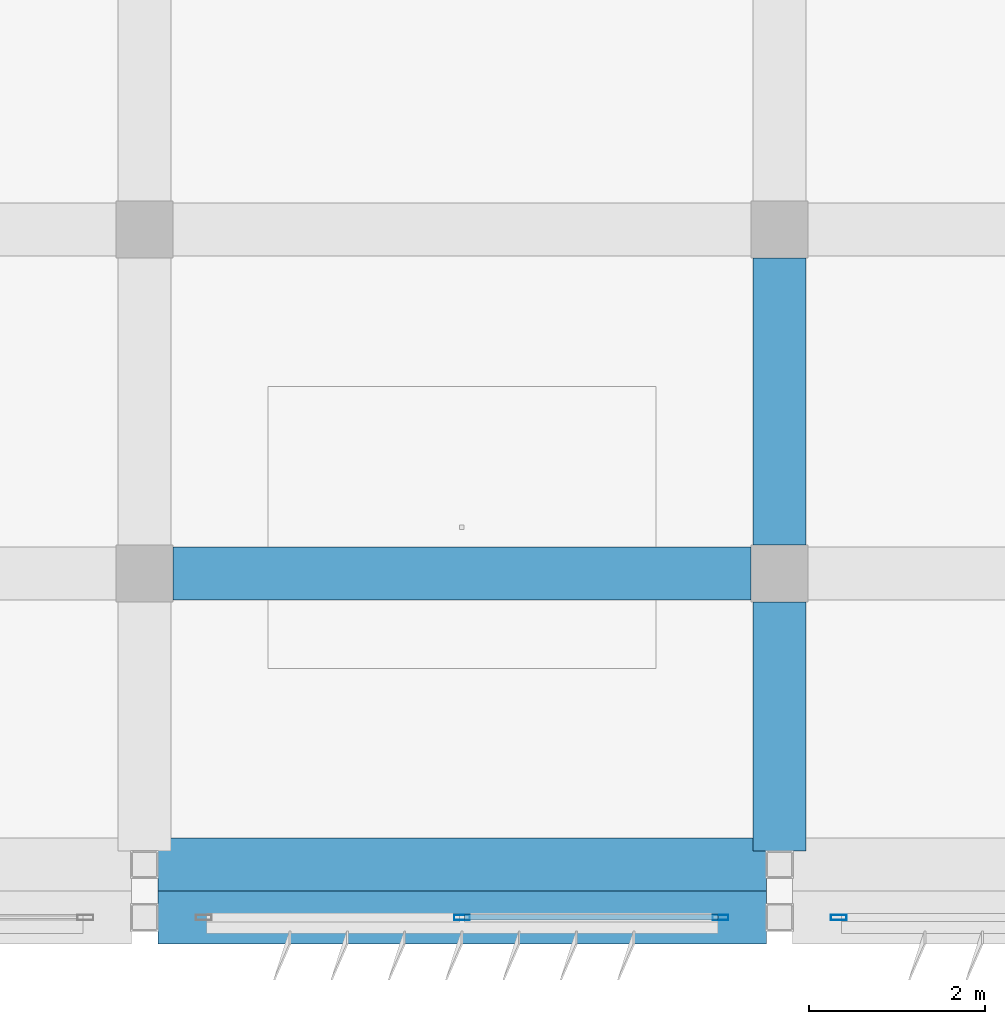
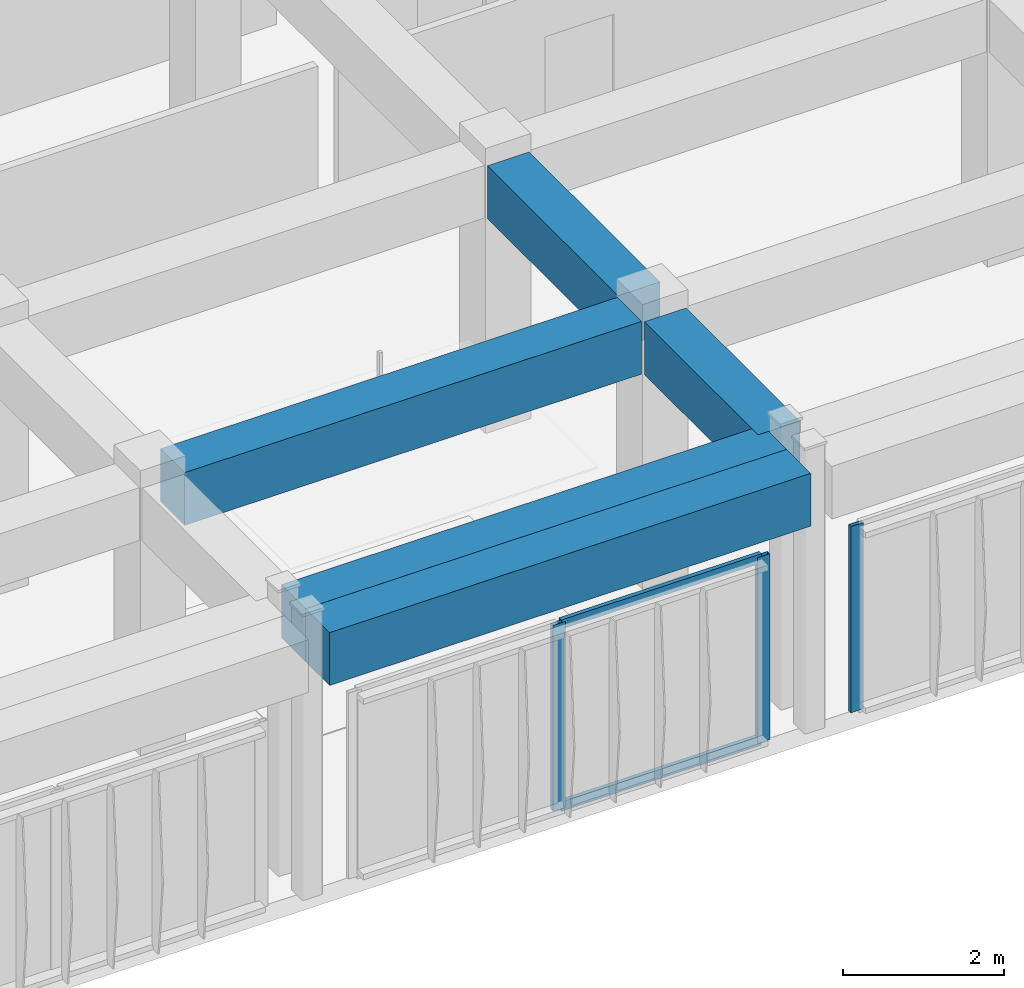
# One storey, part 4 of 42: 5 beams, 5 members, 2 elements without a shape of their own.
"""IFC4 building model written with IfcOpenShell, lengths in metres."""

import ifcopenshell
import ifcopenshell.guid

model = None  # the IFC model being written
_history = None  # IfcOwnerHistory: only IFC2X3 demands one
_inside = {}  # id of a spatial element -> (the spatial element, [elements in it])
_under = {}  # id of a project, library or spatial element -> (it, [spatial elements below it])
_declared = {}  # id of a project -> (the project, [libraries it declares])
_typed = {}  # id of a type object -> (the type object, [elements of that type])
_made_of = {}  # id of a material, layer set ... -> (it, [elements and type objects made of it])


def new_model(schema):
    """Start an empty IFC model of exactly this schema.

    Asked for "IFC4X3", IfcOpenShell would pick the latest addendum, in which some entities
    have other attributes; the version numbers below select the first issue.
    IFC2X3 requires an IfcOwnerHistory on every rooted entity: one is made here for all.
    """
    global model, _history
    if schema == "IFC4X3":
        model = ifcopenshell.file(schema_version=(4, 3, 0, 0))
    else:
        model = ifcopenshell.file(schema=schema)
    _inside.clear()
    _under.clear()
    _declared.clear()
    _typed.clear()
    _made_of.clear()
    _history = None
    if model.schema == "IFC2X3":
        org = make("IfcOrganization", Name="unknown")
        user = make(
            "IfcPersonAndOrganization",
            ThePerson=make("IfcPerson", FamilyName="unknown"),
            TheOrganization=org,
        )
        app = make(
            "IfcApplication",
            ApplicationDeveloper=org,
            Version="unknown",
            ApplicationFullName="unknown",
            ApplicationIdentifier="unknown",
        )
        _history = make(
            "IfcOwnerHistory",
            OwningUser=user,
            OwningApplication=app,
            ChangeAction="ADDED",
            CreationDate=0,
        )
    return model


def make(cls, **values):
    """One entity of the class cls with the attributes given. An attribute that is None is left unset."""
    return model.create_entity(
        cls, **{name: value for name, value in values.items() if value is not None}
    )


def rooted(cls, **values):
    """An entity with a GlobalId (a new one), such as an element, a storey or a relation."""
    return make(cls, GlobalId=ifcopenshell.guid.new(), OwnerHistory=_history, **values)


def si_unit(unit_type, name, prefix=None):
    """IfcSIUnit, for example si_unit("LENGTHUNIT", "METRE", prefix="MILLI")."""
    return make("IfcSIUnit", UnitType=unit_type, Prefix=prefix, Name=name)


def assignment(units):
    """IfcUnitAssignment: the units of a project."""
    return None if units is None else make("IfcUnitAssignment", Units=units)


def point(xyz):
    """IfcCartesianPoint."""
    return None if xyz is None else make("IfcCartesianPoint", Coordinates=xyz)


def direction(xyz):
    """IfcDirection."""
    return None if xyz is None else make("IfcDirection", DirectionRatios=xyz)


def frame(location, z_axis=None, x_axis=None):
    """IfcAxis2Placement3D, a coordinate frame: its origin and axes. An axis left out is left unset."""
    return make(
        "IfcAxis2Placement3D",
        Location=point(location),
        Axis=direction(z_axis),
        RefDirection=direction(x_axis),
    )


def frame_2d(location, x_axis=None):
    """IfcAxis2Placement2D, a coordinate frame in the plane: its origin and x axis."""
    return make(
        "IfcAxis2Placement2D", Location=point(location), RefDirection=direction(x_axis)
    )


def origin():
    """The frame at (0, 0, 0) with its axes left unset."""
    return frame((0.0, 0.0, 0.0))


def origin_2d():
    """The frame at (0, 0) in the plane with its x axis left unset."""
    return frame_2d((0.0, 0.0))


def place(relative_to, where):
    """IfcLocalPlacement: puts the frame where relative to a parent placement (None: the world)."""
    return make(
        "IfcLocalPlacement", PlacementRelTo=relative_to, RelativePlacement=where
    )


def context(
    kind, dimensions, precision=None, world=None, true_north=None, identifier=None
):
    """IfcGeometricRepresentationContext, for example the 3D "Model" context."""
    return make(
        "IfcGeometricRepresentationContext",
        ContextIdentifier=identifier,
        ContextType=kind,
        CoordinateSpaceDimension=dimensions,
        Precision=precision,
        WorldCoordinateSystem=world,
        TrueNorth=true_north,
    )


def subcontext(parent, identifier, kind, view, scale=None):
    """IfcGeometricRepresentationSubContext, for example "Body" below "Model"."""
    return make(
        "IfcGeometricRepresentationSubContext",
        ContextIdentifier=identifier,
        ContextType=kind,
        ParentContext=parent,
        TargetScale=scale,
        TargetView=view,
    )


def project(units=None, contexts=None):
    """IfcProject with its units and contexts."""
    return rooted(
        "IfcProject",
        Name="project",
        RepresentationContexts=contexts,
        UnitsInContext=assignment(units),
    )


def spatial(cls, under=None, at=None, **own):
    """A site, building, storey or space (cls), placed at a placement, below another one or the project."""
    s = rooted(cls, ObjectPlacement=at, **own)
    if under is not None:
        _under.setdefault(under.id(), (under, []))[1].append(s)
    return s


def profile(cls, at=None, kind="AREA", **sizes):
    """A parametric profile (cls). Its sizes go by their IFC names, for example OverallWidth=200.0."""
    return make(cls, ProfileType=kind, Position=at, **sizes)


def rectangle(**sizes):
    """IfcRectangleProfileDef."""
    return profile("IfcRectangleProfileDef", **sizes)


def hollow_rectangle(**sizes):
    """IfcRectangleHollowProfileDef."""
    return profile("IfcRectangleHollowProfileDef", **sizes)


def extrude(swept, where, along, depth):
    """IfcExtrudedAreaSolid: the profile swept, set in the frame where, extruded along a direction by depth."""
    return make(
        "IfcExtrudedAreaSolid",
        SweptArea=swept,
        Position=where,
        ExtrudedDirection=direction(along),
        Depth=depth,
    )


def shape(context_of_items, identifier, shape_type, items):
    """IfcShapeRepresentation: the items that make up one representation, for example the "Body"."""
    return make(
        "IfcShapeRepresentation",
        ContextOfItems=context_of_items,
        RepresentationIdentifier=identifier,
        RepresentationType=shape_type,
        Items=items,
    )


def material(Name=None, Category=None):
    """IfcMaterial."""
    return make("IfcMaterial", Name=Name, Category=Category)


def material_profile(
    of_material, cross_section, Name=None, Category=None, Priority=None
):
    """IfcMaterialProfile: a cross section and its material."""
    return make(
        "IfcMaterialProfile",
        Name=Name,
        Material=of_material,
        Profile=cross_section,
        Priority=Priority,
        Category=Category,
    )


def profile_set(profiles, Name=None, composite=None):
    """IfcMaterialProfileSet."""
    return make(
        "IfcMaterialProfileSet",
        Name=Name,
        MaterialProfiles=profiles,
        CompositeProfile=composite,
    )


def made_of(thing, what):
    """Note that an element or type object is made of a material, layer set ...; save() writes the relation."""
    if what is not None:
        _made_of.setdefault(what.id(), (what, []))[1].append(thing)
    return thing


def type_object(cls, material=None, **own):
    """A type object (cls), such as IfcWallType, which elements share."""
    return made_of(rooted(cls, **own), material)


def element(
    cls,
    number,
    at=None,
    inside=None,
    cuts=None,
    type_object=None,
    material=None,
    context=None,
    identifier="Body",
    shape_type=None,
    held_by="IfcProductDefinitionShape",
    body=None,
    shapes=None,
    **own,
):
    """One element of the class cls, such as IfcWall. Its Tag is "e" and its number.

    at: its placement. inside: the storey or other place that contains it. cuts: it is an
    opening in that element (IfcRelVoidsElement). A single representation is given by context,
    identifier, shape_type and body (its items); several are given by shapes. held_by: the class
    of the entity that holds the representations. save() writes the other relations.
    """
    e = rooted(cls, Tag="e%d" % number, ObjectPlacement=at, **own)
    if body is not None:
        shapes = [shape(context, identifier, shape_type, body)]
    if shapes is not None:
        e.Representation = make(held_by, Representations=shapes)
    if inside is not None:
        _inside.setdefault(inside.id(), (inside, []))[1].append(e)
    if cuts is not None:
        rooted(
            "IfcRelVoidsElement", RelatingBuildingElement=cuts, RelatedOpeningElement=e
        )
    if type_object is not None:
        _typed.setdefault(type_object.id(), (type_object, []))[1].append(e)
    return made_of(e, material)


def aggregate(whole, parts):
    """IfcRelAggregates: a whole, such as a stair, and the parts it consists of."""
    return rooted("IfcRelAggregates", RelatingObject=whole, RelatedObjects=parts)


def save(model, path):
    """Write the relations noted so far, then the file.

    IfcRelAggregates (storeys below a building ...), IfcRelContainedInSpatialStructure (elements
    in a storey), IfcRelDefinesByType, IfcRelAssociatesMaterial and IfcRelDeclares: one each for
    every whole, place, type object, material and project.
    """
    for whole, parts in _under.values():
        aggregate(whole, parts)
    for where, things in _inside.values():
        rooted(
            "IfcRelContainedInSpatialStructure",
            RelatedElements=things,
            RelatingStructure=where,
        )
    for kind, things in _typed.values():
        rooted("IfcRelDefinesByType", RelatedObjects=things, RelatingType=kind)
    for what, things in _made_of.values():
        rooted("IfcRelAssociatesMaterial", RelatedObjects=things, RelatingMaterial=what)
    for by, libraries in _declared.values():
        rooted("IfcRelDeclares", RelatingContext=by, RelatedDefinitions=libraries)
    model.write(path)


model = new_model("IFC4")

# Units and contexts
model_context = context("Model", 3, precision=1e-05, world=origin(), true_north=direction((0.0, 1.0)))
body_context = subcontext(model_context, "Body", "Model", "MODEL_VIEW")
ifc_project = project(units=[si_unit("LENGTHUNIT", "METRE"), si_unit("AREAUNIT", "SQUARE_METRE"), si_unit("VOLUMEUNIT", "CUBIC_METRE"), si_unit("PLANEANGLEUNIT", "RADIAN"), si_unit("MASSUNIT", "GRAM", prefix="KILO")], contexts=[model_context])

# Site, building, storey
site_placement = place(None, origin())
site = spatial("IfcSite", under=ifc_project, at=site_placement, CompositionType="ELEMENT")
building_placement = place(site_placement, origin())
building = spatial("IfcBuilding", under=site, at=building_placement, Name="Kazehaya Institute of Natural Sciences", CompositionType="ELEMENT")
storey_placement = place(building_placement, frame((0.0, 0.0, 37.6201171875)))
storey = spatial("IfcBuildingStorey", under=building, at=storey_placement, Name="L08", CompositionType="ELEMENT", Elevation=37.6201171875)

# Beams
ifc_material_1 = material(Name="Concrete Fc36", Category="concrete")
ifc_material_profile_1 = material_profile(ifc_material_1, rectangle(XDim=0.60009765625, YDim=0.800048828125, at=origin_2d()), Name="RC-600x800")
ifc_profile_set_1 = profile_set([ifc_material_profile_1], Name="Concrete Fc36")
beam_type = type_object("IfcBeamType", Name="BM-G-600x800", PredefinedType="BEAM", material=ifc_profile_set_1)
for number, where, z_axis, x_axis, name in (
    (1, (61.949951171875, 6.199951171875, 3.64990234375), (1.0, 0.0, 0.0), (0.0, 1.0, 0.0), "L08 primary X girder BMX-L08-618-62"),
    (2, (61.949951171875, 6.800048828125, 3.64990234375), (1.0, 0.0, 0.0), (0.0, 1.0, 0.0), "L08 primary X girder BMX-L08-618-68"),
):
    element("IfcBeam", number, at=place(storey_placement, frame(where, z_axis=z_axis, x_axis=x_axis)), inside=storey, type_object=beam_type, Name=name, PredefinedType="BEAM", context=body_context, shape_type="SweptSolid", body=[
        extrude(rectangle(XDim=0.60009765625, YDim=0.800048828125, at=origin_2d()), origin(), (0.0, 0.0, 1.0), 6.900146484375),
    ])
beam_1_placement = place(storey_placement, frame((62.125, 10.10009765625, 3.64990234375), z_axis=(1.0, 0.0, 0.0), x_axis=(0.0, 1.0, 0.0)))
element("IfcBeam", 3, at=beam_1_placement, inside=storey, type_object=beam_type, Name="L08 primary X girder BMX-L08-618-101", PredefinedType="BEAM", context=body_context, shape_type="SweptSolid", body=[
    extrude(rectangle(XDim=0.60009765625, YDim=0.800048828125, at=origin_2d()), origin(), (0.0, 0.0, 1.0), 6.550048828125),
])
beam_2_placement = place(storey_placement, frame((69.0, 6.949951171875, 3.64990234375), z_axis=(0.0, 1.0, 0.0), x_axis=(-1.0, 0.0, 0.0)))
element("IfcBeam", 4, at=beam_2_placement, inside=storey, type_object=beam_type, Name="L08 primary Y girder BMY-L08-690-68", PredefinedType="BEAM", context=body_context, shape_type="SweptSolid", body=[
    extrude(rectangle(XDim=0.60009765625, YDim=0.800048828125, at=origin_2d()), origin(), (0.0, 0.0, 1.0), 2.824951171875),
])
beam_3_placement = place(storey_placement, frame((69.0, 10.425048828125, 3.64990234375), z_axis=(0.0, 1.0, 0.0), x_axis=(-1.0, 0.0, 0.0)))
element("IfcBeam", 5, at=beam_3_placement, inside=storey, type_object=beam_type, Name="L08 primary Y girder BMY-L08-690-101", PredefinedType="BEAM", context=body_context, shape_type="SweptSolid", body=[
    extrude(rectangle(XDim=0.60009765625, YDim=0.800048828125, at=origin_2d()), origin(), (0.0, 0.0, 1.0), 3.25),
])

# Curtain wall, member
ifc_material_2 = material(Name="Aluminium alloy A6063S-T5", Category="aluminium")
curtain_wall_type = type_object("IfcCurtainWallType", Name="CW-SYS-05", PredefinedType="NOTDEFINED", material=ifc_material_2)
curtain_wall_1_placement = place(storey_placement, origin())
curtain_wall_1 = element("IfcCurtainWall", 6, at=curtain_wall_1_placement, inside=storey, type_object=curtain_wall_type, Name="L08 unitised curtain wall CW-L08-182", PredefinedType="NOTDEFINED")
ifc_material_profile_2 = material_profile(ifc_material_2, hollow_rectangle(XDim=0.06005859375, YDim=0.179931640625, WallThickness=0.00390625, at=origin_2d()), Name="ALU-60x180x4")
ifc_profile_set_2 = profile_set([ifc_material_profile_2], Name="Aluminium alloy A6063S-T5")
member_type_1 = type_object("IfcMemberType", Name="CWM-180", PredefinedType="MULLION", material=ifc_profile_set_2)
member_1_placement = place(storey_placement, frame((69.669921875, 6.199951171875, 0.0), z_axis=(0.0, 0.0, 1.0), x_axis=(0.0, -1.0, 0.0)))
member_1 = element("IfcMember", 7, at=member_1_placement, type_object=member_type_1, Name="CW05 mullion 3", PredefinedType="MULLION", context=body_context, shape_type="SweptSolid", body=[
    extrude(hollow_rectangle(XDim=0.06005859375, YDim=0.179931640625, WallThickness=0.00390625, at=origin_2d()), origin(), (0.0, 0.0, 1.0), 2.81982421875),
])
aggregate(curtain_wall_1, [member_1])

# Curtain wall, members
curtain_wall_2_placement = place(storey_placement, origin())
curtain_wall_2 = element("IfcCurtainWall", 8, at=curtain_wall_2_placement, inside=storey, type_object=curtain_wall_type, Name="L08 unitised curtain wall CW-L08-183", PredefinedType="NOTDEFINED")
member_2_placement = place(storey_placement, frame((68.330078125, 6.199951171875, 0.0), z_axis=(0.0, 0.0, 1.0), x_axis=(0.0, -1.0, 0.0)))
member_2 = element("IfcMember", 9, at=member_2_placement, type_object=member_type_1, Name="CW05 mullion 1", PredefinedType="MULLION", context=body_context, shape_type="SweptSolid", body=[
    extrude(hollow_rectangle(XDim=0.06005859375, YDim=0.179931640625, WallThickness=0.00390625, at=origin_2d()), origin(), (0.0, 0.0, 1.0), 2.81982421875),
])
member_3_placement = place(storey_placement, frame((65.39990234375, 6.199951171875, 0.0), z_axis=(0.0, 0.0, 1.0), x_axis=(0.0, -1.0, 0.0)))
member_3 = element("IfcMember", 10, at=member_3_placement, type_object=member_type_1, Name="CW05 mullion 2", PredefinedType="MULLION", context=body_context, shape_type="SweptSolid", body=[
    extrude(hollow_rectangle(XDim=0.06005859375, YDim=0.179931640625, WallThickness=0.00390625, at=origin_2d()), origin(), (0.0, 0.0, 1.0), 2.81982421875),
])
ifc_material_profile_3 = material_profile(ifc_material_2, hollow_rectangle(XDim=0.06005859375, YDim=0.139892578125, WallThickness=0.00341796875, at=origin_2d()), Name="ALU-60x140x3.5")
ifc_profile_set_3 = profile_set([ifc_material_profile_3], Name="Aluminium alloy A6063S-T5")
member_type_2 = type_object("IfcMemberType", Name="CWT-140", PredefinedType="USERDEFINED", material=ifc_profile_set_3)
member_4_placement = place(storey_placement, frame((68.300048828125, 6.199951171875, 0.02978515625), z_axis=(-1.0, 0.0, 0.0), x_axis=(0.0, -1.0, 0.0)))
member_4 = element("IfcMember", 11, at=member_4_placement, type_object=member_type_2, Name="CW05 transom 1.1", ObjectType="TRANSOM", PredefinedType="USERDEFINED", context=body_context, shape_type="SweptSolid", body=[
    extrude(hollow_rectangle(XDim=0.06005859375, YDim=0.139892578125, WallThickness=0.00341796875, at=origin_2d()), origin(), (0.0, 0.0, 1.0), 2.8701171875),
])
member_5_placement = place(storey_placement, frame((68.300048828125, 6.199951171875, 2.789794921875), z_axis=(-1.0, 0.0, 0.0), x_axis=(0.0, -1.0, 0.0)))
member_5 = element("IfcMember", 12, at=member_5_placement, type_object=member_type_2, Name="CW05 transom 1.2", ObjectType="TRANSOM", PredefinedType="USERDEFINED", context=body_context, shape_type="SweptSolid", body=[
    extrude(hollow_rectangle(XDim=0.06005859375, YDim=0.139892578125, WallThickness=0.00341796875, at=origin_2d()), origin(), (0.0, 0.0, 1.0), 2.8701171875),
])
aggregate(curtain_wall_2, [member_2, member_3, member_4, member_5])

save(model, "model.ifc")
